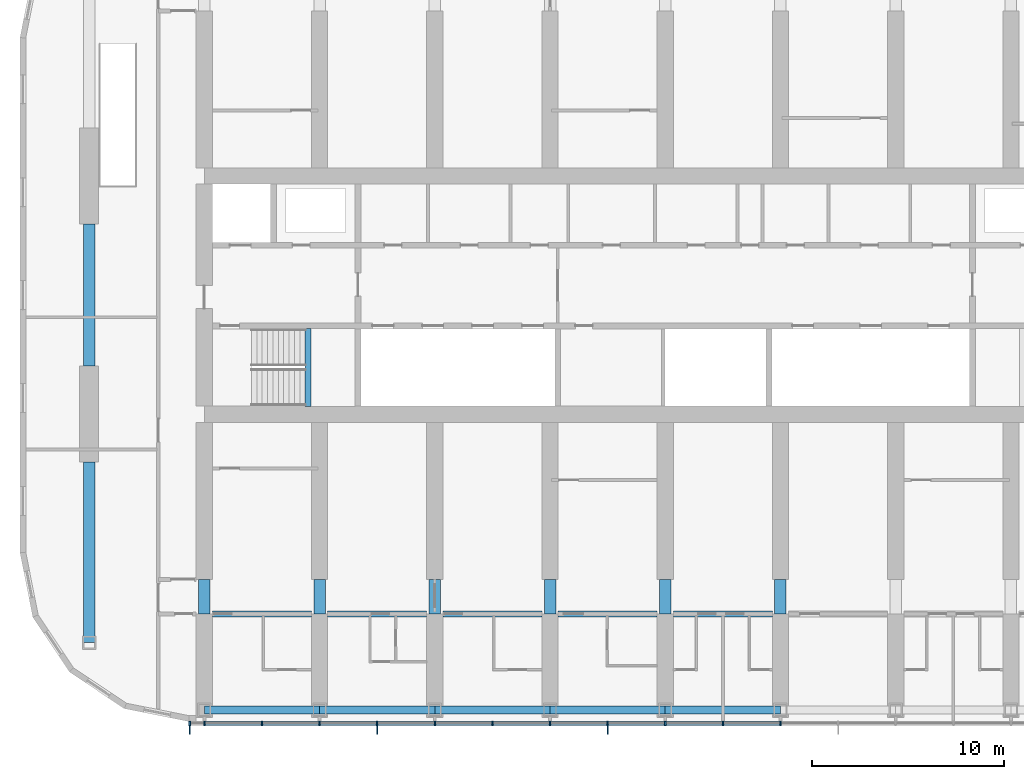
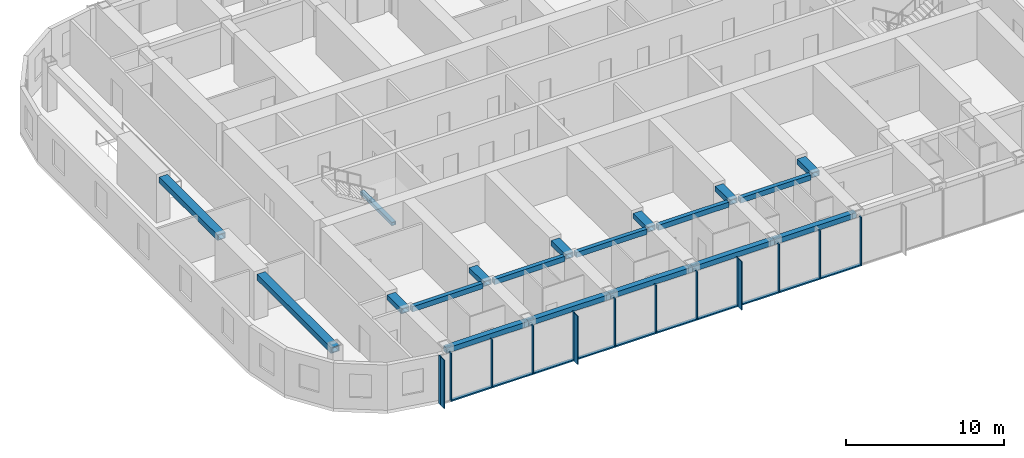
# One storey, part 2 of 22: 25 members, 19 beams, 1 element without a shape of its own.
"""IFC4 building model written with IfcOpenShell, lengths in metres."""

import ifcopenshell
import ifcopenshell.guid

model = None  # the IFC model being written
_history = None  # IfcOwnerHistory: only IFC2X3 demands one
_inside = {}  # id of a spatial element -> (the spatial element, [elements in it])
_under = {}  # id of a project, library or spatial element -> (it, [spatial elements below it])
_declared = {}  # id of a project -> (the project, [libraries it declares])
_typed = {}  # id of a type object -> (the type object, [elements of that type])
_made_of = {}  # id of a material, layer set ... -> (it, [elements and type objects made of it])


def new_model(schema):
    """Start an empty IFC model of exactly this schema.

    Asked for "IFC4X3", IfcOpenShell would pick the latest addendum, in which some entities
    have other attributes; the version numbers below select the first issue.
    IFC2X3 requires an IfcOwnerHistory on every rooted entity: one is made here for all.
    """
    global model, _history
    if schema == "IFC4X3":
        model = ifcopenshell.file(schema_version=(4, 3, 0, 0))
    else:
        model = ifcopenshell.file(schema=schema)
    _inside.clear()
    _under.clear()
    _declared.clear()
    _typed.clear()
    _made_of.clear()
    _history = None
    if model.schema == "IFC2X3":
        org = make("IfcOrganization", Name="unknown")
        user = make(
            "IfcPersonAndOrganization",
            ThePerson=make("IfcPerson", FamilyName="unknown"),
            TheOrganization=org,
        )
        app = make(
            "IfcApplication",
            ApplicationDeveloper=org,
            Version="unknown",
            ApplicationFullName="unknown",
            ApplicationIdentifier="unknown",
        )
        _history = make(
            "IfcOwnerHistory",
            OwningUser=user,
            OwningApplication=app,
            ChangeAction="ADDED",
            CreationDate=0,
        )
    return model


def make(cls, **values):
    """One entity of the class cls with the attributes given. An attribute that is None is left unset."""
    return model.create_entity(
        cls, **{name: value for name, value in values.items() if value is not None}
    )


def rooted(cls, **values):
    """An entity with a GlobalId (a new one), such as an element, a storey or a relation."""
    return make(cls, GlobalId=ifcopenshell.guid.new(), OwnerHistory=_history, **values)


def si_unit(unit_type, name, prefix=None):
    """IfcSIUnit, for example si_unit("LENGTHUNIT", "METRE", prefix="MILLI")."""
    return make("IfcSIUnit", UnitType=unit_type, Prefix=prefix, Name=name)


def assignment(units):
    """IfcUnitAssignment: the units of a project."""
    return None if units is None else make("IfcUnitAssignment", Units=units)


def point(xyz):
    """IfcCartesianPoint."""
    return None if xyz is None else make("IfcCartesianPoint", Coordinates=xyz)


def direction(xyz):
    """IfcDirection."""
    return None if xyz is None else make("IfcDirection", DirectionRatios=xyz)


def frame(location, z_axis=None, x_axis=None):
    """IfcAxis2Placement3D, a coordinate frame: its origin and axes. An axis left out is left unset."""
    return make(
        "IfcAxis2Placement3D",
        Location=point(location),
        Axis=direction(z_axis),
        RefDirection=direction(x_axis),
    )


def frame_2d(location, x_axis=None):
    """IfcAxis2Placement2D, a coordinate frame in the plane: its origin and x axis."""
    return make(
        "IfcAxis2Placement2D", Location=point(location), RefDirection=direction(x_axis)
    )


def origin():
    """The frame at (0, 0, 0) with its axes left unset."""
    return frame((0.0, 0.0, 0.0))


def origin_2d():
    """The frame at (0, 0) in the plane with its x axis left unset."""
    return frame_2d((0.0, 0.0))


def place(relative_to, where):
    """IfcLocalPlacement: puts the frame where relative to a parent placement (None: the world)."""
    return make(
        "IfcLocalPlacement", PlacementRelTo=relative_to, RelativePlacement=where
    )


def context(
    kind, dimensions, precision=None, world=None, true_north=None, identifier=None
):
    """IfcGeometricRepresentationContext, for example the 3D "Model" context."""
    return make(
        "IfcGeometricRepresentationContext",
        ContextIdentifier=identifier,
        ContextType=kind,
        CoordinateSpaceDimension=dimensions,
        Precision=precision,
        WorldCoordinateSystem=world,
        TrueNorth=true_north,
    )


def subcontext(parent, identifier, kind, view, scale=None):
    """IfcGeometricRepresentationSubContext, for example "Body" below "Model"."""
    return make(
        "IfcGeometricRepresentationSubContext",
        ContextIdentifier=identifier,
        ContextType=kind,
        ParentContext=parent,
        TargetScale=scale,
        TargetView=view,
    )


def project(units=None, contexts=None):
    """IfcProject with its units and contexts."""
    return rooted(
        "IfcProject",
        Name="project",
        RepresentationContexts=contexts,
        UnitsInContext=assignment(units),
    )


def spatial(cls, under=None, at=None, **own):
    """A site, building, storey or space (cls), placed at a placement, below another one or the project."""
    s = rooted(cls, ObjectPlacement=at, **own)
    if under is not None:
        _under.setdefault(under.id(), (under, []))[1].append(s)
    return s


def profile(cls, at=None, kind="AREA", **sizes):
    """A parametric profile (cls). Its sizes go by their IFC names, for example OverallWidth=200.0."""
    return make(cls, ProfileType=kind, Position=at, **sizes)


def rectangle(**sizes):
    """IfcRectangleProfileDef."""
    return profile("IfcRectangleProfileDef", **sizes)


def hollow_rectangle(**sizes):
    """IfcRectangleHollowProfileDef."""
    return profile("IfcRectangleHollowProfileDef", **sizes)


def extrude(swept, where, along, depth):
    """IfcExtrudedAreaSolid: the profile swept, set in the frame where, extruded along a direction by depth."""
    return make(
        "IfcExtrudedAreaSolid",
        SweptArea=swept,
        Position=where,
        ExtrudedDirection=direction(along),
        Depth=depth,
    )


def shape(context_of_items, identifier, shape_type, items):
    """IfcShapeRepresentation: the items that make up one representation, for example the "Body"."""
    return make(
        "IfcShapeRepresentation",
        ContextOfItems=context_of_items,
        RepresentationIdentifier=identifier,
        RepresentationType=shape_type,
        Items=items,
    )


def material(Name=None, Category=None):
    """IfcMaterial."""
    return make("IfcMaterial", Name=Name, Category=Category)


def material_profile(
    of_material, cross_section, Name=None, Category=None, Priority=None
):
    """IfcMaterialProfile: a cross section and its material."""
    return make(
        "IfcMaterialProfile",
        Name=Name,
        Material=of_material,
        Profile=cross_section,
        Priority=Priority,
        Category=Category,
    )


def profile_set(profiles, Name=None, composite=None):
    """IfcMaterialProfileSet."""
    return make(
        "IfcMaterialProfileSet",
        Name=Name,
        MaterialProfiles=profiles,
        CompositeProfile=composite,
    )


def made_of(thing, what):
    """Note that an element or type object is made of a material, layer set ...; save() writes the relation."""
    if what is not None:
        _made_of.setdefault(what.id(), (what, []))[1].append(thing)
    return thing


def type_object(cls, material=None, **own):
    """A type object (cls), such as IfcWallType, which elements share."""
    return made_of(rooted(cls, **own), material)


def element(
    cls,
    number,
    at=None,
    inside=None,
    cuts=None,
    type_object=None,
    material=None,
    context=None,
    identifier="Body",
    shape_type=None,
    held_by="IfcProductDefinitionShape",
    body=None,
    shapes=None,
    **own,
):
    """One element of the class cls, such as IfcWall. Its Tag is "e" and its number.

    at: its placement. inside: the storey or other place that contains it. cuts: it is an
    opening in that element (IfcRelVoidsElement). A single representation is given by context,
    identifier, shape_type and body (its items); several are given by shapes. held_by: the class
    of the entity that holds the representations. save() writes the other relations.
    """
    e = rooted(cls, Tag="e%d" % number, ObjectPlacement=at, **own)
    if body is not None:
        shapes = [shape(context, identifier, shape_type, body)]
    if shapes is not None:
        e.Representation = make(held_by, Representations=shapes)
    if inside is not None:
        _inside.setdefault(inside.id(), (inside, []))[1].append(e)
    if cuts is not None:
        rooted(
            "IfcRelVoidsElement", RelatingBuildingElement=cuts, RelatedOpeningElement=e
        )
    if type_object is not None:
        _typed.setdefault(type_object.id(), (type_object, []))[1].append(e)
    return made_of(e, material)


def aggregate(whole, parts):
    """IfcRelAggregates: a whole, such as a stair, and the parts it consists of."""
    return rooted("IfcRelAggregates", RelatingObject=whole, RelatedObjects=parts)


def save(model, path):
    """Write the relations noted so far, then the file.

    IfcRelAggregates (storeys below a building ...), IfcRelContainedInSpatialStructure (elements
    in a storey), IfcRelDefinesByType, IfcRelAssociatesMaterial and IfcRelDeclares: one each for
    every whole, place, type object, material and project.
    """
    for whole, parts in _under.values():
        aggregate(whole, parts)
    for where, things in _inside.values():
        rooted(
            "IfcRelContainedInSpatialStructure",
            RelatedElements=things,
            RelatingStructure=where,
        )
    for kind, things in _typed.values():
        rooted("IfcRelDefinesByType", RelatedObjects=things, RelatingType=kind)
    for what, things in _made_of.values():
        rooted("IfcRelAssociatesMaterial", RelatedObjects=things, RelatingMaterial=what)
    for by, libraries in _declared.values():
        rooted("IfcRelDeclares", RelatingContext=by, RelatedDefinitions=libraries)
    model.write(path)


model = new_model("IFC4")

# Units and contexts
model_context = context("Model", 3, precision=1e-05, world=origin(), true_north=direction((0.0, 1.0)))
body_context = subcontext(model_context, "Body", "Model", "MODEL_VIEW")
ifc_project = project(units=[si_unit("LENGTHUNIT", "METRE"), si_unit("AREAUNIT", "SQUARE_METRE"), si_unit("VOLUMEUNIT", "CUBIC_METRE"), si_unit("PLANEANGLEUNIT", "RADIAN"), si_unit("MASSUNIT", "GRAM", prefix="KILO")], contexts=[model_context])

# Site, building, storey
site_placement = place(None, origin())
site = spatial("IfcSite", under=ifc_project, at=site_placement, CompositionType="ELEMENT")
building_placement = place(site_placement, origin())
building = spatial("IfcBuilding", under=site, at=building_placement, Name="Orbita Commons", CompositionType="ELEMENT")
storey_placement = place(building_placement, frame((0.0, 0.0, 167.35009765625)))
storey = spatial("IfcBuildingStorey", under=building, at=storey_placement, Name="L41", CompositionType="ELEMENT", Elevation=167.35009765625)

# Curtain wall, members
ifc_material_1 = material(Name="Anodised aluminium frame, pale silver", Category="aluminium")
curtain_wall_type = type_object("IfcCurtainWallType", Name="Unitised curtain wall CW-U, full-height vision", PredefinedType="NOTDEFINED", material=ifc_material_1)
curtain_wall_placement = place(storey_placement, origin())
curtain_wall = element("IfcCurtainWall", 1, at=curtain_wall_placement, inside=storey, type_object=curtain_wall_type, Name="Curtain wall south L41", PredefinedType="NOTDEFINED")
ifc_material_2 = material(Name="Anodised aluminium, pale silver", Category="aluminium")
ifc_material_profile_1 = material_profile(ifc_material_2, rectangle(XDim=0.080078125, YDim=0.219970703125, at=origin_2d()), Name="AL 80x220")
ifc_profile_set_1 = profile_set([ifc_material_profile_1], Name="Anodised aluminium, pale silver")
member_type_1 = type_object("IfcMemberType", Name="Curtain wall mullion 80x220", PredefinedType="MULLION", material=ifc_profile_set_1)
member_1_placement = place(storey_placement, frame((17.239990234375, 9.68994140625, -0.25), z_axis=(0.0, 0.0, 1.0), x_axis=(1.0, 0.0, 0.0)))
member_1 = element("IfcMember", 2, at=member_1_placement, type_object=member_type_1, Name="Mullion 1 CW-L41-S", PredefinedType="MULLION", context=body_context, shape_type="SweptSolid", body=[
    extrude(rectangle(XDim=0.080078125, YDim=0.219970703125, at=origin_2d()), origin(), (0.0, 0.0, 1.0), 3.75),
])
member_2_placement = place(storey_placement, frame((18.0, 9.68994140625, -0.25), z_axis=(0.0, 0.0, 1.0), x_axis=(1.0, 0.0, 0.0)))
member_2 = element("IfcMember", 3, at=member_2_placement, type_object=member_type_1, Name="Mullion 2 CW-L41-S", PredefinedType="MULLION", context=body_context, shape_type="SweptSolid", body=[
    extrude(rectangle(XDim=0.080078125, YDim=0.219970703125, at=origin_2d()), origin(), (0.0, 0.0, 1.0), 3.75),
])
member_3_placement = place(storey_placement, frame((21.0, 9.68994140625, -0.25), z_axis=(0.0, 0.0, 1.0), x_axis=(1.0, 0.0, 0.0)))
member_3 = element("IfcMember", 4, at=member_3_placement, type_object=member_type_1, Name="Mullion 3 CW-L41-S", PredefinedType="MULLION", context=body_context, shape_type="SweptSolid", body=[
    extrude(rectangle(XDim=0.080078125, YDim=0.219970703125, at=origin_2d()), origin(), (0.0, 0.0, 1.0), 3.75),
])
member_4_placement = place(storey_placement, frame((24.0, 9.68994140625, -0.25), z_axis=(0.0, 0.0, 1.0), x_axis=(1.0, 0.0, 0.0)))
member_4 = element("IfcMember", 5, at=member_4_placement, type_object=member_type_1, Name="Mullion 4 CW-L41-S", PredefinedType="MULLION", context=body_context, shape_type="SweptSolid", body=[
    extrude(rectangle(XDim=0.080078125, YDim=0.219970703125, at=origin_2d()), origin(), (0.0, 0.0, 1.0), 3.75),
])
member_5_placement = place(storey_placement, frame((27.0, 9.68994140625, -0.25), z_axis=(0.0, 0.0, 1.0), x_axis=(1.0, 0.0, 0.0)))
member_5 = element("IfcMember", 6, at=member_5_placement, type_object=member_type_1, Name="Mullion 5 CW-L41-S", PredefinedType="MULLION", context=body_context, shape_type="SweptSolid", body=[
    extrude(rectangle(XDim=0.080078125, YDim=0.219970703125, at=origin_2d()), origin(), (0.0, 0.0, 1.0), 3.75),
])
member_6_placement = place(storey_placement, frame((30.0, 9.68994140625, -0.25), z_axis=(0.0, 0.0, 1.0), x_axis=(1.0, 0.0, 0.0)))
member_6 = element("IfcMember", 7, at=member_6_placement, type_object=member_type_1, Name="Mullion 6 CW-L41-S", PredefinedType="MULLION", context=body_context, shape_type="SweptSolid", body=[
    extrude(rectangle(XDim=0.080078125, YDim=0.219970703125, at=origin_2d()), origin(), (0.0, 0.0, 1.0), 3.75),
])
member_7_placement = place(storey_placement, frame((33.0, 9.68994140625, -0.25), z_axis=(0.0, 0.0, 1.0), x_axis=(1.0, 0.0, 0.0)))
member_7 = element("IfcMember", 8, at=member_7_placement, type_object=member_type_1, Name="Mullion 7 CW-L41-S", PredefinedType="MULLION", context=body_context, shape_type="SweptSolid", body=[
    extrude(rectangle(XDim=0.080078125, YDim=0.219970703125, at=origin_2d()), origin(), (0.0, 0.0, 1.0), 3.75),
])
member_8_placement = place(storey_placement, frame((36.0, 9.68994140625, -0.25), z_axis=(0.0, 0.0, 1.0), x_axis=(1.0, 0.0, 0.0)))
member_8 = element("IfcMember", 9, at=member_8_placement, type_object=member_type_1, Name="Mullion 8 CW-L41-S", PredefinedType="MULLION", context=body_context, shape_type="SweptSolid", body=[
    extrude(rectangle(XDim=0.080078125, YDim=0.219970703125, at=origin_2d()), origin(), (0.0, 0.0, 1.0), 3.75),
])
member_9_placement = place(storey_placement, frame((39.0, 9.68994140625, -0.25), z_axis=(0.0, 0.0, 1.0), x_axis=(1.0, 0.0, 0.0)))
member_9 = element("IfcMember", 10, at=member_9_placement, type_object=member_type_1, Name="Mullion 9 CW-L41-S", PredefinedType="MULLION", context=body_context, shape_type="SweptSolid", body=[
    extrude(rectangle(XDim=0.080078125, YDim=0.219970703125, at=origin_2d()), origin(), (0.0, 0.0, 1.0), 3.75),
])
member_10_placement = place(storey_placement, frame((42.0, 9.68994140625, -0.25), z_axis=(0.0, 0.0, 1.0), x_axis=(1.0, 0.0, 0.0)))
member_10 = element("IfcMember", 11, at=member_10_placement, type_object=member_type_1, Name="Mullion 10 CW-L41-S", PredefinedType="MULLION", context=body_context, shape_type="SweptSolid", body=[
    extrude(rectangle(XDim=0.080078125, YDim=0.219970703125, at=origin_2d()), origin(), (0.0, 0.0, 1.0), 3.75),
])
member_11_placement = place(storey_placement, frame((45.0, 9.68994140625, -0.25), z_axis=(0.0, 0.0, 1.0), x_axis=(1.0, 0.0, 0.0)))
member_11 = element("IfcMember", 12, at=member_11_placement, type_object=member_type_1, Name="Mullion 11 CW-L41-S", PredefinedType="MULLION", context=body_context, shape_type="SweptSolid", body=[
    extrude(rectangle(XDim=0.080078125, YDim=0.219970703125, at=origin_2d()), origin(), (0.0, 0.0, 1.0), 3.75),
])
member_12_placement = place(storey_placement, frame((48.0, 9.68994140625, -0.25), z_axis=(0.0, 0.0, 1.0), x_axis=(1.0, 0.0, 0.0)))
member_12 = element("IfcMember", 13, at=member_12_placement, type_object=member_type_1, Name="Mullion 12 CW-L41-S", PredefinedType="MULLION", context=body_context, shape_type="SweptSolid", body=[
    extrude(rectangle(XDim=0.080078125, YDim=0.219970703125, at=origin_2d()), origin(), (0.0, 0.0, 1.0), 3.75),
])
ifc_material_3 = material(Name="Anodised aluminium, pale silver", Category="aluminium")
ifc_material_profile_2 = material_profile(ifc_material_3, rectangle(XDim=0.219970703125, YDim=0.10009765625, at=origin_2d()), Name="AL 220x100")
ifc_profile_set_2 = profile_set([ifc_material_profile_2], Name="Anodised aluminium, pale silver")
member_type_2 = type_object("IfcMemberType", Name="Curtain wall stack transom 220x100", PredefinedType="USERDEFINED", material=ifc_profile_set_2)
member_13_placement = place(storey_placement, frame((18.0400390625, 9.68994140625, -0.2001953125), z_axis=(1.0, 0.0, 0.0), x_axis=(0.0, 1.0, 0.0)))
member_13 = element("IfcMember", 14, at=member_13_placement, type_object=member_type_2, Name="Transom 2.1 CW-L41-S", ObjectType="TRANSOM", PredefinedType="USERDEFINED", context=body_context, shape_type="SweptSolid", body=[
    extrude(rectangle(XDim=0.219970703125, YDim=0.10009765625, at=origin_2d()), origin(), (0.0, 0.0, 1.0), 2.919921875),
])
member_14_placement = place(storey_placement, frame((21.0400390625, 9.68994140625, -0.2001953125), z_axis=(1.0, 0.0, 0.0), x_axis=(0.0, 1.0, 0.0)))
member_14 = element("IfcMember", 15, at=member_14_placement, type_object=member_type_2, Name="Transom 3.1 CW-L41-S", ObjectType="TRANSOM", PredefinedType="USERDEFINED", context=body_context, shape_type="SweptSolid", body=[
    extrude(rectangle(XDim=0.219970703125, YDim=0.10009765625, at=origin_2d()), origin(), (0.0, 0.0, 1.0), 2.919921875),
])
member_15_placement = place(storey_placement, frame((24.0400390625, 9.68994140625, -0.2001953125), z_axis=(1.0, 0.0, 0.0), x_axis=(0.0, 1.0, 0.0)))
member_15 = element("IfcMember", 16, at=member_15_placement, type_object=member_type_2, Name="Transom 4.1 CW-L41-S", ObjectType="TRANSOM", PredefinedType="USERDEFINED", context=body_context, shape_type="SweptSolid", body=[
    extrude(rectangle(XDim=0.219970703125, YDim=0.10009765625, at=origin_2d()), origin(), (0.0, 0.0, 1.0), 2.919921875),
])
member_16_placement = place(storey_placement, frame((27.0400390625, 9.68994140625, -0.2001953125), z_axis=(1.0, 0.0, 0.0), x_axis=(0.0, 1.0, 0.0)))
member_16 = element("IfcMember", 17, at=member_16_placement, type_object=member_type_2, Name="Transom 5.1 CW-L41-S", ObjectType="TRANSOM", PredefinedType="USERDEFINED", context=body_context, shape_type="SweptSolid", body=[
    extrude(rectangle(XDim=0.219970703125, YDim=0.10009765625, at=origin_2d()), origin(), (0.0, 0.0, 1.0), 2.919921875),
])
member_17_placement = place(storey_placement, frame((30.0400390625, 9.68994140625, -0.2001953125), z_axis=(1.0, 0.0, 0.0), x_axis=(0.0, 1.0, 0.0)))
member_17 = element("IfcMember", 18, at=member_17_placement, type_object=member_type_2, Name="Transom 6.1 CW-L41-S", ObjectType="TRANSOM", PredefinedType="USERDEFINED", context=body_context, shape_type="SweptSolid", body=[
    extrude(rectangle(XDim=0.219970703125, YDim=0.10009765625, at=origin_2d()), origin(), (0.0, 0.0, 1.0), 2.919921875),
])
member_18_placement = place(storey_placement, frame((33.0400390625, 9.68994140625, -0.2001953125), z_axis=(1.0, 0.0, 0.0), x_axis=(0.0, 1.0, 0.0)))
member_18 = element("IfcMember", 19, at=member_18_placement, type_object=member_type_2, Name="Transom 7.1 CW-L41-S", ObjectType="TRANSOM", PredefinedType="USERDEFINED", context=body_context, shape_type="SweptSolid", body=[
    extrude(rectangle(XDim=0.219970703125, YDim=0.10009765625, at=origin_2d()), origin(), (0.0, 0.0, 1.0), 2.919921875),
])
member_19_placement = place(storey_placement, frame((36.0400390625, 9.68994140625, -0.2001953125), z_axis=(1.0, 0.0, 0.0), x_axis=(0.0, 1.0, 0.0)))
member_19 = element("IfcMember", 20, at=member_19_placement, type_object=member_type_2, Name="Transom 8.1 CW-L41-S", ObjectType="TRANSOM", PredefinedType="USERDEFINED", context=body_context, shape_type="SweptSolid", body=[
    extrude(rectangle(XDim=0.219970703125, YDim=0.10009765625, at=origin_2d()), origin(), (0.0, 0.0, 1.0), 2.919921875),
])
member_20_placement = place(storey_placement, frame((39.0400390625, 9.68994140625, -0.2001953125), z_axis=(1.0, 0.0, 0.0), x_axis=(0.0, 1.0, 0.0)))
member_20 = element("IfcMember", 21, at=member_20_placement, type_object=member_type_2, Name="Transom 9.1 CW-L41-S", ObjectType="TRANSOM", PredefinedType="USERDEFINED", context=body_context, shape_type="SweptSolid", body=[
    extrude(rectangle(XDim=0.219970703125, YDim=0.10009765625, at=origin_2d()), origin(), (0.0, 0.0, 1.0), 2.919921875),
])
member_21_placement = place(storey_placement, frame((42.0400390625, 9.68994140625, -0.2001953125), z_axis=(1.0, 0.0, 0.0), x_axis=(0.0, 1.0, 0.0)))
member_21 = element("IfcMember", 22, at=member_21_placement, type_object=member_type_2, Name="Transom 10.1 CW-L41-S", ObjectType="TRANSOM", PredefinedType="USERDEFINED", context=body_context, shape_type="SweptSolid", body=[
    extrude(rectangle(XDim=0.219970703125, YDim=0.10009765625, at=origin_2d()), origin(), (0.0, 0.0, 1.0), 2.919921875),
])
member_22_placement = place(storey_placement, frame((45.0400390625, 9.68994140625, -0.2001953125), z_axis=(1.0, 0.0, 0.0), x_axis=(0.0, 1.0, 0.0)))
member_22 = element("IfcMember", 23, at=member_22_placement, type_object=member_type_2, Name="Transom 11.1 CW-L41-S", ObjectType="TRANSOM", PredefinedType="USERDEFINED", context=body_context, shape_type="SweptSolid", body=[
    extrude(rectangle(XDim=0.219970703125, YDim=0.10009765625, at=origin_2d()), origin(), (0.0, 0.0, 1.0), 2.919921875),
])

# Beams
ifc_material_4 = material(Name="Steel ASTM A572 Gr 50 welded plate", Category="steel")
ifc_material_profile_3 = material_profile(ifc_material_4, hollow_rectangle(XDim=0.300048828125, YDim=0.25, WallThickness=0.02490234375, at=origin_2d()), Name="BOX 250x300x25")
ifc_profile_set_3 = profile_set([ifc_material_profile_3], Name="Steel ASTM A572 Gr 50 welded plate")
beam_type_1 = type_object("IfcBeamType", Name="Stair landing beam steel BOX 250x300x25", PredefinedType="BEAM", material=ifc_profile_set_3)
beam_1_placement = place(storey_placement, frame((23.39990234375, 26.2099609375, 1.5498046875), z_axis=(0.0, 1.0, 0.0), x_axis=(-1.0, 0.0, 0.0)))
element("IfcBeam", 24, at=beam_1_placement, inside=storey, type_object=beam_type_1, Name="Stair S1 landing beam L41 1", PredefinedType="BEAM", context=body_context, shape_type="SweptSolid", body=[
    extrude(hollow_rectangle(XDim=0.300048828125, YDim=0.25, WallThickness=0.02490234375, at=origin_2d()), origin(), (0.0, 0.0, 1.0), 4.054931640625),
])
ifc_material_5 = material(Name="Steel ASTM A572 Gr 50 welded plate", Category="steel")
ifc_material_profile_4 = material_profile(ifc_material_5, hollow_rectangle(XDim=0.300048828125, YDim=0.39990234375, WallThickness=0.0400390625, at=origin_2d()), Name="BOX 400x300x40")
ifc_profile_set_4 = profile_set([ifc_material_profile_4], Name="Steel ASTM A572 Gr 50 welded plate")
beam_type_2 = type_object("IfcBeamType", Name="Steel corridor link BOX 400x300x40", PredefinedType="BEAM", material=ifc_profile_set_4)
for number, where, z_axis, x_axis, name in (
    (25, (18.425048828125, 15.39990234375, 3.2998046875), (1.0, 0.0, 0.0), (0.0, 1.0, 0.0), "Corridor beam SA 4-5 L41"),
    (26, (24.425048828125, 15.39990234375, 3.2998046875), (1.0, 0.0, 0.0), (0.0, 1.0, 0.0), "Corridor beam SA 5-6 L41"),
    (27, (30.425048828125, 15.39990234375, 3.2998046875), (1.0, 0.0, 0.0), (0.0, 1.0, 0.0), "Corridor beam SA 6-7 L41"),
    (28, (36.425048828125, 15.39990234375, 3.2998046875), (1.0, 0.0, 0.0), (0.0, 1.0, 0.0), "Corridor beam SA 7-8 L41"),
    (29, (42.425048828125, 15.39990234375, 3.2998046875), (1.0, 0.0, 0.0), (0.0, 1.0, 0.0), "Corridor beam SA 8-9 L41"),
):
    element("IfcBeam", number, at=place(storey_placement, frame(where, z_axis=z_axis, x_axis=x_axis)), inside=storey, type_object=beam_type_2, Name=name, PredefinedType="BEAM", context=body_context, shape_type="SweptSolid", body=[
        extrude(hollow_rectangle(XDim=0.300048828125, YDim=0.39990234375, WallThickness=0.0400390625, at=origin_2d()), origin(), (0.0, 0.0, 1.0), 5.14990234375),
    ])
ifc_material_6 = material(Name="Steel ASTM A572 Gr 50 welded plate", Category="steel")
ifc_material_profile_5 = material_profile(ifc_material_6, hollow_rectangle(XDim=0.60009765625, YDim=0.39990234375, WallThickness=0.050048828125, at=origin_2d()), Name="BOX 400x600x50")
ifc_profile_set_5 = profile_set([ifc_material_profile_5], Name="Steel ASTM A572 Gr 50 welded plate")
beam_type_3 = type_object("IfcBeamType", Name="Steel coupling link BOX 400x600x50", PredefinedType="LINTEL", material=ifc_profile_set_5)
for number, where, z_axis, x_axis, name in (
    (30, (18.0, 15.39990234375, 3.2998046875), (0.0, 1.0, 0.0), (-1.0, 0.0, 0.0), "Coupling beam 4 south L41"),
    (31, (24.0, 15.39990234375, 3.2998046875), (0.0, 1.0, 0.0), (-1.0, 0.0, 0.0), "Coupling beam 5 south L41"),
    (32, (30.0, 15.39990234375, 3.2998046875), (0.0, 1.0, 0.0), (-1.0, 0.0, 0.0), "Coupling beam 6 south L41"),
    (33, (36.0, 15.39990234375, 3.2998046875), (0.0, 1.0, 0.0), (-1.0, 0.0, 0.0), "Coupling beam 7 south L41"),
    (34, (42.0, 15.39990234375, 3.2998046875), (0.0, 1.0, 0.0), (-1.0, 0.0, 0.0), "Coupling beam 8 south L41"),
    (35, (48.0, 15.39990234375, 3.2998046875), (0.0, 1.0, 0.0), (-1.0, 0.0, 0.0), "Coupling beam 9 south L41"),
):
    element("IfcBeam", number, at=place(storey_placement, frame(where, z_axis=z_axis, x_axis=x_axis)), inside=storey, type_object=beam_type_3, Name=name, PredefinedType="LINTEL", context=body_context, shape_type="SweptSolid", body=[
        extrude(hollow_rectangle(XDim=0.60009765625, YDim=0.39990234375, WallThickness=0.050048828125, at=origin_2d()), origin(), (0.0, 0.0, 1.0), 1.800048828125),
    ])
ifc_material_7 = material(Name="Steel ASTM A572 Gr 50 welded plate", Category="steel")
ifc_material_profile_6 = material_profile(ifc_material_7, hollow_rectangle(XDim=0.60009765625, YDim=0.449951171875, WallThickness=0.06005859375, at=origin_2d()), Name="BOX 450x600x60")
ifc_profile_set_6 = profile_set([ifc_material_profile_6], Name="Steel ASTM A572 Gr 50 welded plate")
beam_type_4 = type_object("IfcBeamType", Name="Steel end frame link BOX 450x600x60", PredefinedType="BEAM", material=ifc_profile_set_6)
beam_2_placement = place(storey_placement, frame((12.0, 13.89990234375, 3.27490234375), z_axis=(0.0, 1.0, 0.0), x_axis=(-1.0, 0.0, 0.0)))
element("IfcBeam", 36, at=beam_2_placement, inside=storey, type_object=beam_type_4, Name="End frame beam 3 B-C L41", PredefinedType="BEAM", context=body_context, shape_type="SweptSolid", body=[
    extrude(hollow_rectangle(XDim=0.60009765625, YDim=0.449951171875, WallThickness=0.06005859375, at=origin_2d()), origin(), (0.0, 0.0, 1.0), 9.400146484375),
])
beam_3_placement = place(storey_placement, frame((12.0, 28.300048828125, 3.27490234375), z_axis=(0.0, 1.0, 0.0), x_axis=(-1.0, 0.0, 0.0)))
element("IfcBeam", 37, at=beam_3_placement, inside=storey, type_object=beam_type_4, Name="End frame beam 3 C-D L41", PredefinedType="BEAM", context=body_context, shape_type="SweptSolid", body=[
    extrude(hollow_rectangle(XDim=0.60009765625, YDim=0.449951171875, WallThickness=0.06005859375, at=origin_2d()), origin(), (0.0, 0.0, 1.0), 7.39990234375),
])
ifc_material_8 = material(Name="Steel ASTM A572 Gr 50 welded plate", Category="steel")
ifc_material_profile_7 = material_profile(ifc_material_8, hollow_rectangle(XDim=0.39990234375, YDim=0.39990234375, WallThickness=0.0400390625, at=origin_2d()), Name="BOX 400x400x40")
ifc_profile_set_7 = profile_set([ifc_material_profile_7], Name="Steel ASTM A572 Gr 50 welded plate")
beam_type_5 = type_object("IfcBeamType", Name="Steel spandrel BOX 400x400x40", PredefinedType="SPANDREL", material=ifc_profile_set_7)
for number, where, z_axis, x_axis, name in (
    (38, (18.0, 10.39990234375, 3.2998046875), (1.0, 0.0, 0.0), (0.0, 1.0, 0.0), "Spandrel beam B 4-5 L41"),
    (39, (24.0, 10.39990234375, 3.2998046875), (1.0, 0.0, 0.0), (0.0, 1.0, 0.0), "Spandrel beam B 5-6 L41"),
    (40, (30.0, 10.39990234375, 3.2998046875), (1.0, 0.0, 0.0), (0.0, 1.0, 0.0), "Spandrel beam B 6-7 L41"),
    (41, (36.0, 10.39990234375, 3.2998046875), (1.0, 0.0, 0.0), (0.0, 1.0, 0.0), "Spandrel beam B 7-8 L41"),
    (42, (42.0, 10.39990234375, 3.2998046875), (1.0, 0.0, 0.0), (0.0, 1.0, 0.0), "Spandrel beam B 8-9 L41"),
):
    element("IfcBeam", number, at=place(storey_placement, frame(where, z_axis=z_axis, x_axis=x_axis)), inside=storey, type_object=beam_type_5, Name=name, PredefinedType="SPANDREL", context=body_context, shape_type="SweptSolid", body=[
        extrude(hollow_rectangle(XDim=0.39990234375, YDim=0.39990234375, WallThickness=0.0400390625, at=origin_2d()), origin(), (0.0, 0.0, 1.0), 6.0),
    ])

# Member
ifc_material_9 = material(Name="Anodised aluminium, pale silver", Category="aluminium")
ifc_material_profile_8 = material_profile(ifc_material_9, rectangle(XDim=0.06005859375, YDim=0.449951171875, at=origin_2d()), Name="FIN 60x450")
ifc_profile_set_8 = profile_set([ifc_material_profile_8], Name="Anodised aluminium, pale silver")
member_type_3 = type_object("IfcMemberType", Name="Vertical fin 60x450 pale aluminium", PredefinedType="USERDEFINED", material=ifc_profile_set_8)
member_23_placement = place(storey_placement, frame((17.239990234375, 9.35498046875, -0.25), z_axis=(0.0, 0.0, 1.0), x_axis=(1.0, 0.0, 0.0)))
member_23 = element("IfcMember", 43, at=member_23_placement, type_object=member_type_3, Name="Fin 1 CW-L41-S", ObjectType="FIN", PredefinedType="USERDEFINED", context=body_context, shape_type="SweptSolid", body=[
    extrude(rectangle(XDim=0.06005859375, YDim=0.449951171875, at=origin_2d()), origin(), (0.0, 0.0, 1.0), 3.75),
])

member_24_placement = place(storey_placement, frame((27.0, 9.35498046875, -0.25), z_axis=(0.0, 0.0, 1.0), x_axis=(1.0, 0.0, 0.0)))
member_24 = element("IfcMember", 44, at=member_24_placement, type_object=member_type_3, Name="Fin 5 CW-L41-S", ObjectType="FIN", PredefinedType="USERDEFINED", context=body_context, shape_type="SweptSolid", body=[
    extrude(rectangle(XDim=0.06005859375, YDim=0.449951171875, at=origin_2d()), origin(), (0.0, 0.0, 1.0), 3.75),
])

member_25_placement = place(storey_placement, frame((39.0, 9.35498046875, -0.25), z_axis=(0.0, 0.0, 1.0), x_axis=(1.0, 0.0, 0.0)))
member_25 = element("IfcMember", 45, at=member_25_placement, type_object=member_type_3, Name="Fin 9 CW-L41-S", ObjectType="FIN", PredefinedType="USERDEFINED", context=body_context, shape_type="SweptSolid", body=[
    extrude(rectangle(XDim=0.06005859375, YDim=0.449951171875, at=origin_2d()), origin(), (0.0, 0.0, 1.0), 3.75),
])

aggregate(curtain_wall, [member_1, member_23, member_2, member_3, member_4, member_5, member_24, member_6, member_7, member_8, member_9, member_25, member_10, member_11, member_12, member_13, member_14, member_15, member_16, member_17, member_18, member_19, member_20, member_21, member_22])

save(model, "model.ifc")
